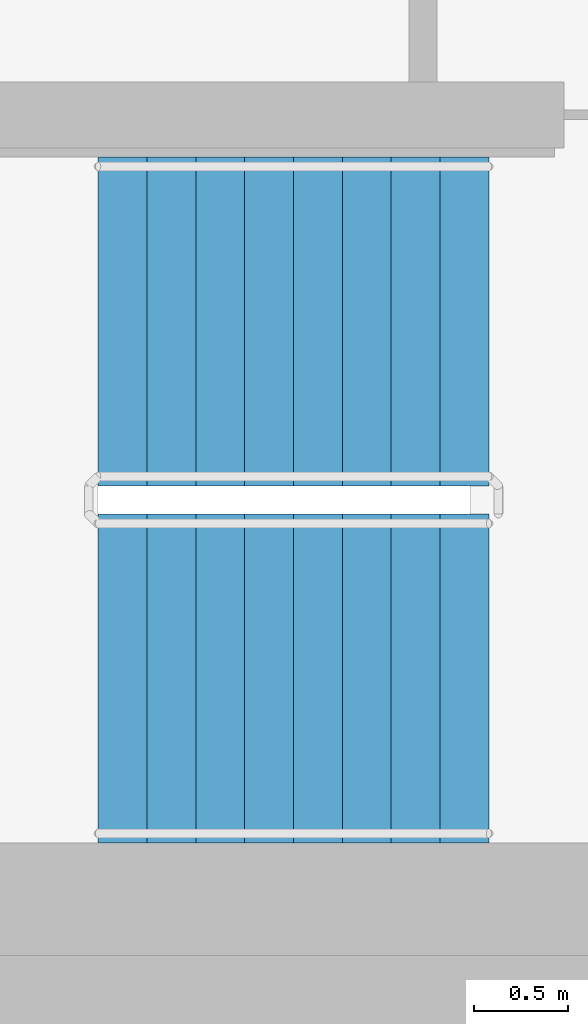
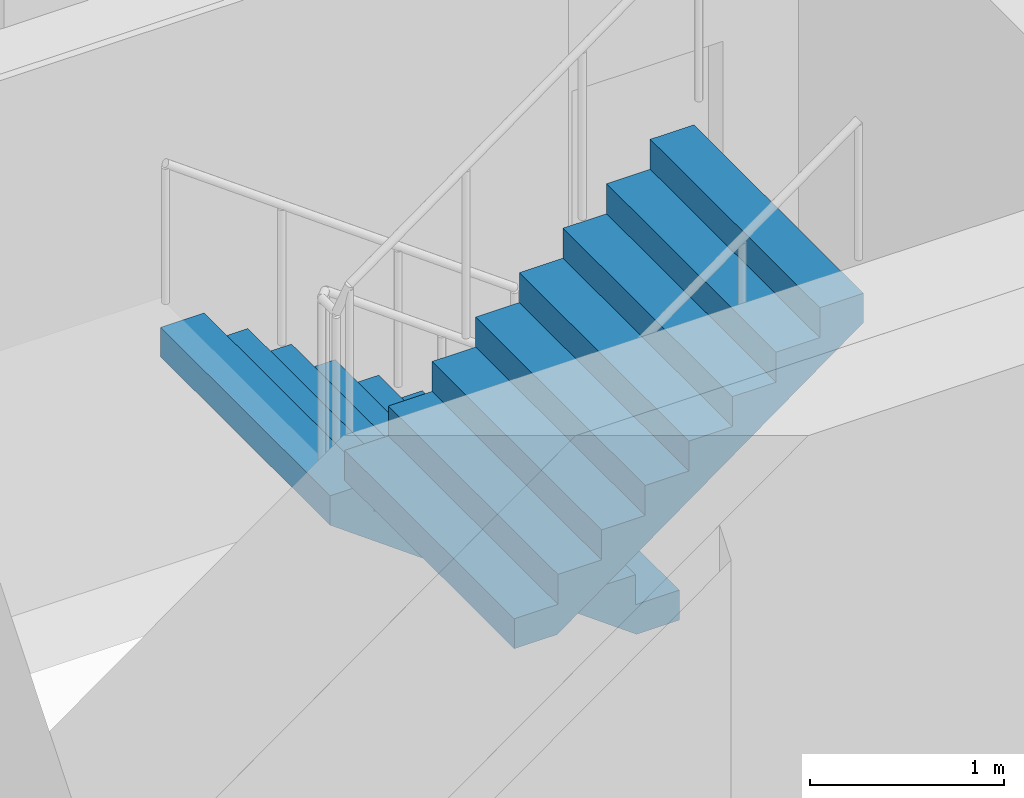
# One storey, part 12 of 18: 2 stair flights, 1 element without a shape of its own.
"""IFC4 building model written with IfcOpenShell, lengths in metres."""

from ifc_helpers import new_model, si_unit, direction, frame, origin, place, context, subcontext, project, spatial, faceted_brep, material, type_object, element, aggregate, save


model = new_model("IFC4")

# Units and contexts
model_context = context("Model", 3, precision=1e-05, world=origin(), true_north=direction((0.0, 1.0)))
body_context = subcontext(model_context, "Body", "Model", "MODEL_VIEW")
ifc_project = project(units=[si_unit("LENGTHUNIT", "METRE"), si_unit("AREAUNIT", "SQUARE_METRE"), si_unit("VOLUMEUNIT", "CUBIC_METRE"), si_unit("PLANEANGLEUNIT", "RADIAN"), si_unit("MASSUNIT", "GRAM", prefix="KILO")], contexts=[model_context])

# Site, building, storey
site_placement = place(None, origin())
site = spatial("IfcSite", under=ifc_project, at=site_placement, CompositionType="ELEMENT")
building_placement = place(site_placement, origin())
building = spatial("IfcBuilding", under=site, at=building_placement, Name="Ipe Terrace Towers", CompositionType="ELEMENT")
storey_placement = place(building_placement, frame((0.0, 0.0, 223.199951171875)))
storey = spatial("IfcBuildingStorey", under=building, at=storey_placement, Name="L62", CompositionType="ELEMENT", Elevation=223.199951171875)

# Stair, stair flights
ifc_material_1 = material(Name="Concrete C30/37", Category="concrete")
stair_type = type_object("IfcStairType", Name="Protected exit stair", PredefinedType="HALF_TURN_STAIR", material=ifc_material_1)
stair_placement = place(storey_placement, origin())
stair = element("IfcStair", 1, at=stair_placement, inside=storey, type_object=stair_type, Name="L62 Exit stair T1-C2", PredefinedType="HALF_TURN_STAIR")
ifc_material_2 = material(Name="Concrete C30/37", Category="concrete")
stair_flight_type = type_object("IfcStairFlightType", Name="Exit stair flight 1750", PredefinedType="STRAIGHT", material=ifc_material_2)
stair_flight_1_placement = place(storey_placement, frame((-45.699951171875, -2.77490234375, 0.0), z_axis=(0.0, 0.0, 1.0), x_axis=(-1.0, 0.0, 0.0)))
stair_flight_1 = element("IfcStairFlight", 2, at=stair_flight_1_placement, type_object=stair_flight_type, Name="T1-ST2 flight 1", NumberOfRisers=9, NumberOfTreads=8, PredefinedType="STRAIGHT", RiserHeight=0.188888889, TreadLength=0.26, context=body_context, shape_type="Brep", body=[
    faceted_brep([(0.255126953125, -0.875, 0.0), (2.080078125, -0.875, 1.325927734375), (2.080078125, -0.875, 1.51123046875), (1.820068359375, -0.875, 1.51123046875), (1.820068359375, -0.875, 1.322265625), (1.56005859375, -0.875, 1.322265625), (1.56005859375, -0.875, 1.13330078125), (1.300048828125, -0.875, 1.13330078125), (1.300048828125, -0.875, 0.9443359375), (1.0400390625, -0.875, 0.9443359375), (1.0400390625, -0.875, 0.755615234375), (0.780029296875, -0.875, 0.755615234375), (0.780029296875, -0.875, 0.566650390625), (0.52001953125, -0.875, 0.566650390625), (0.52001953125, -0.875, 0.377685546875), (0.260009765625, -0.875, 0.377685546875), (0.260009765625, -0.875, 0.18896484375), (0.0, -0.875, 0.18896484375), (0.0, -0.875, 0.0), (0.0, 0.875, 0.0), (0.0, 0.875, 0.18896484375), (0.260009765625, 0.875, 0.18896484375), (0.260009765625, 0.875, 0.377685546875), (0.52001953125, 0.875, 0.377685546875), (0.52001953125, 0.875, 0.566650390625), (0.780029296875, 0.875, 0.566650390625), (0.780029296875, 0.875, 0.755615234375), (1.0400390625, 0.875, 0.755615234375), (1.0400390625, 0.875, 0.9443359375), (1.300048828125, 0.875, 0.9443359375), (1.300048828125, 0.875, 1.13330078125), (1.56005859375, 0.875, 1.13330078125), (1.56005859375, 0.875, 1.322265625), (1.820068359375, 0.875, 1.322265625), (1.820068359375, 0.875, 1.51123046875), (2.080078125, 0.875, 1.51123046875), (2.080078125, 0.875, 1.325927734375), (0.255126953125, 0.875, 0.0), (0.0, -0.300048828125, 0.18896484375), (0.0, -0.1201171875, 0.18896484375), (0.0, -0.06005859375, 0.18896484375), (0.0, -0.030029296875, 0.18896484375), (0.0, -0.010009765625, 0.18896484375), (0.0, 0.0, 0.18896484375), (0.0, 0.010009765625, 0.18896484375), (0.0, 0.030029296875, 0.18896484375), (0.0, 0.06005859375, 0.18896484375), (0.0, 0.1201171875, 0.18896484375), (0.0, 0.300048828125, 0.18896484375), (0.0, 0.300048828125, 0.0), (0.0, 0.1201171875, 0.0), (0.0, 0.06005859375, 0.0), (0.0, 0.030029296875, 0.0), (0.0, 0.010009765625, 0.0), (0.0, 0.0, 0.0), (0.0, -0.010009765625, 0.0), (0.0, -0.030029296875, 0.0), (0.0, -0.06005859375, 0.0), (0.0, -0.1201171875, 0.0), (0.0, -0.300048828125, 0.0), (0.260009765625, -0.300048828125, 0.18896484375), (0.260009765625, -0.1201171875, 0.18896484375), (0.260009765625, -0.06005859375, 0.18896484375), (0.260009765625, -0.030029296875, 0.18896484375), (0.260009765625, -0.010009765625, 0.18896484375), (0.260009765625, 0.0, 0.18896484375), (0.260009765625, 0.010009765625, 0.18896484375), (0.260009765625, 0.030029296875, 0.18896484375), (0.260009765625, 0.06005859375, 0.18896484375), (0.260009765625, 0.1201171875, 0.18896484375), (0.260009765625, 0.300048828125, 0.18896484375), (0.260009765625, -0.300048828125, 0.377685546875), (0.260009765625, -0.1201171875, 0.377685546875), (0.260009765625, -0.06005859375, 0.377685546875), (0.260009765625, -0.030029296875, 0.377685546875), (0.260009765625, -0.010009765625, 0.377685546875), (0.260009765625, 0.0, 0.377685546875), (0.260009765625, 0.010009765625, 0.377685546875), (0.260009765625, 0.030029296875, 0.377685546875), (0.260009765625, 0.06005859375, 0.377685546875), (0.260009765625, 0.1201171875, 0.377685546875), (0.260009765625, 0.300048828125, 0.377685546875), (0.52001953125, -0.300048828125, 0.377685546875), (0.52001953125, -0.1201171875, 0.377685546875), (0.52001953125, -0.06005859375, 0.377685546875), (0.52001953125, -0.030029296875, 0.377685546875), (0.52001953125, -0.010009765625, 0.377685546875), (0.52001953125, 0.0, 0.377685546875), (0.52001953125, 0.010009765625, 0.377685546875), (0.52001953125, 0.030029296875, 0.377685546875), (0.52001953125, 0.06005859375, 0.377685546875), (0.52001953125, 0.1201171875, 0.377685546875), (0.52001953125, 0.300048828125, 0.377685546875), (0.52001953125, -0.300048828125, 0.566650390625), (0.52001953125, -0.1201171875, 0.566650390625), (0.52001953125, -0.06005859375, 0.566650390625), (0.52001953125, -0.030029296875, 0.566650390625), (0.52001953125, -0.010009765625, 0.566650390625), (0.52001953125, 0.0, 0.566650390625), (0.52001953125, 0.010009765625, 0.566650390625), (0.52001953125, 0.030029296875, 0.566650390625), (0.52001953125, 0.06005859375, 0.566650390625), (0.52001953125, 0.1201171875, 0.566650390625), (0.52001953125, 0.300048828125, 0.566650390625), (0.780029296875, -0.300048828125, 0.566650390625), (0.780029296875, -0.1201171875, 0.566650390625), (0.780029296875, -0.06005859375, 0.566650390625), (0.780029296875, -0.030029296875, 0.566650390625), (0.780029296875, -0.010009765625, 0.566650390625), (0.780029296875, 0.0, 0.566650390625), (0.780029296875, 0.010009765625, 0.566650390625), (0.780029296875, 0.030029296875, 0.566650390625), (0.780029296875, 0.06005859375, 0.566650390625), (0.780029296875, 0.1201171875, 0.566650390625), (0.780029296875, 0.300048828125, 0.566650390625), (0.780029296875, -0.300048828125, 0.755615234375), (0.780029296875, -0.1201171875, 0.755615234375), (0.780029296875, -0.06005859375, 0.755615234375), (0.780029296875, -0.030029296875, 0.755615234375), (0.780029296875, -0.010009765625, 0.755615234375), (0.780029296875, 0.0, 0.755615234375), (0.780029296875, 0.010009765625, 0.755615234375), (0.780029296875, 0.030029296875, 0.755615234375), (0.780029296875, 0.06005859375, 0.755615234375), (0.780029296875, 0.1201171875, 0.755615234375), (0.780029296875, 0.300048828125, 0.755615234375), (1.0400390625, -0.300048828125, 0.755615234375), (1.0400390625, -0.1201171875, 0.755615234375), (1.0400390625, -0.06005859375, 0.755615234375), (1.0400390625, -0.030029296875, 0.755615234375), (1.0400390625, -0.010009765625, 0.755615234375), (1.0400390625, 0.0, 0.755615234375), (1.0400390625, 0.010009765625, 0.755615234375), (1.0400390625, 0.030029296875, 0.755615234375), (1.0400390625, 0.06005859375, 0.755615234375), (1.0400390625, 0.1201171875, 0.755615234375), (1.0400390625, 0.300048828125, 0.755615234375), (1.0400390625, -0.300048828125, 0.9443359375), (1.0400390625, -0.1201171875, 0.9443359375), (1.0400390625, -0.06005859375, 0.9443359375), (1.0400390625, -0.030029296875, 0.9443359375), (1.0400390625, -0.010009765625, 0.9443359375), (1.0400390625, 0.0, 0.9443359375), (1.0400390625, 0.010009765625, 0.9443359375), (1.0400390625, 0.030029296875, 0.9443359375), (1.0400390625, 0.06005859375, 0.9443359375), (1.0400390625, 0.1201171875, 0.9443359375), (1.0400390625, 0.300048828125, 0.9443359375), (1.300048828125, -0.300048828125, 0.9443359375), (1.300048828125, -0.1201171875, 0.9443359375), (1.300048828125, -0.06005859375, 0.9443359375), (1.300048828125, -0.030029296875, 0.9443359375), (1.300048828125, -0.010009765625, 0.9443359375), (1.300048828125, 0.0, 0.9443359375), (1.300048828125, 0.010009765625, 0.9443359375), (1.300048828125, 0.030029296875, 0.9443359375), (1.300048828125, 0.06005859375, 0.9443359375), (1.300048828125, 0.1201171875, 0.9443359375), (1.300048828125, 0.300048828125, 0.9443359375), (1.300048828125, -0.300048828125, 1.13330078125), (1.300048828125, -0.1201171875, 1.13330078125), (1.300048828125, -0.06005859375, 1.13330078125), (1.300048828125, -0.030029296875, 1.13330078125), (1.300048828125, -0.010009765625, 1.13330078125), (1.300048828125, 0.0, 1.13330078125), (1.300048828125, 0.010009765625, 1.13330078125), (1.300048828125, 0.030029296875, 1.13330078125), (1.300048828125, 0.06005859375, 1.13330078125), (1.300048828125, 0.1201171875, 1.13330078125), (1.300048828125, 0.300048828125, 1.13330078125), (1.56005859375, -0.300048828125, 1.13330078125), (1.56005859375, -0.1201171875, 1.13330078125), (1.56005859375, -0.06005859375, 1.13330078125), (1.56005859375, -0.030029296875, 1.13330078125), (1.56005859375, -0.010009765625, 1.13330078125), (1.56005859375, 0.0, 1.13330078125), (1.56005859375, 0.010009765625, 1.13330078125), (1.56005859375, 0.030029296875, 1.13330078125), (1.56005859375, 0.06005859375, 1.13330078125), (1.56005859375, 0.1201171875, 1.13330078125), (1.56005859375, 0.300048828125, 1.13330078125), (1.56005859375, -0.300048828125, 1.322265625), (1.56005859375, -0.1201171875, 1.322265625), (1.56005859375, -0.06005859375, 1.322265625), (1.56005859375, -0.030029296875, 1.322265625), (1.56005859375, -0.010009765625, 1.322265625), (1.56005859375, 0.0, 1.322265625), (1.56005859375, 0.010009765625, 1.322265625), (1.56005859375, 0.030029296875, 1.322265625), (1.56005859375, 0.06005859375, 1.322265625), (1.56005859375, 0.1201171875, 1.322265625), (1.56005859375, 0.300048828125, 1.322265625), (1.820068359375, -0.300048828125, 1.322265625), (1.820068359375, -0.1201171875, 1.322265625), (1.820068359375, -0.06005859375, 1.322265625), (1.820068359375, -0.030029296875, 1.322265625), (1.820068359375, -0.010009765625, 1.322265625), (1.820068359375, 0.0, 1.322265625), (1.820068359375, 0.010009765625, 1.322265625), (1.820068359375, 0.030029296875, 1.322265625), (1.820068359375, 0.06005859375, 1.322265625), (1.820068359375, 0.1201171875, 1.322265625), (1.820068359375, 0.300048828125, 1.322265625), (1.820068359375, -0.300048828125, 1.51123046875), (1.820068359375, -0.1201171875, 1.51123046875), (1.820068359375, -0.06005859375, 1.51123046875), (1.820068359375, -0.030029296875, 1.51123046875), (1.820068359375, -0.010009765625, 1.51123046875), (1.820068359375, 0.0, 1.51123046875), (1.820068359375, 0.010009765625, 1.51123046875), (1.820068359375, 0.030029296875, 1.51123046875), (1.820068359375, 0.06005859375, 1.51123046875), (1.820068359375, 0.1201171875, 1.51123046875), (1.820068359375, 0.300048828125, 1.51123046875), (2.080078125, -0.300048828125, 1.51123046875), (2.080078125, -0.1201171875, 1.51123046875), (2.080078125, -0.06005859375, 1.51123046875), (2.080078125, -0.030029296875, 1.51123046875), (2.080078125, -0.010009765625, 1.51123046875), (2.080078125, 0.0, 1.51123046875), (2.080078125, 0.010009765625, 1.51123046875), (2.080078125, 0.030029296875, 1.51123046875), (2.080078125, 0.06005859375, 1.51123046875), (2.080078125, 0.1201171875, 1.51123046875), (2.080078125, 0.300048828125, 1.51123046875), (2.080078125, -0.300048828125, 1.325927734375), (2.080078125, -0.1201171875, 1.325927734375), (2.080078125, -0.06005859375, 1.325927734375), (2.080078125, -0.030029296875, 1.325927734375), (2.080078125, -0.010009765625, 1.325927734375), (2.080078125, 0.0, 1.325927734375), (2.080078125, 0.010009765625, 1.325927734375), (2.080078125, 0.030029296875, 1.325927734375), (2.080078125, 0.06005859375, 1.325927734375), (2.080078125, 0.1201171875, 1.325927734375), (2.080078125, 0.300048828125, 1.325927734375), (0.255126953125, -0.300048828125, 0.0), (0.255126953125, -0.1201171875, 0.0), (0.255126953125, -0.06005859375, 0.0), (0.255126953125, -0.030029296875, 0.0), (0.255126953125, -0.010009765625, 0.0), (0.255126953125, 0.0, 0.0), (0.255126953125, 0.010009765625, 0.0), (0.255126953125, 0.030029296875, 0.0), (0.255126953125, 0.06005859375, 0.0), (0.255126953125, 0.1201171875, 0.0), (0.255126953125, 0.300048828125, 0.0)], [[[0, 1, 2, 3, 4, 5, 6, 7, 8, 9, 10, 11, 12, 13, 14, 15, 16, 17, 18]], [[19, 20, 21, 22, 23, 24, 25, 26, 27, 28, 29, 30, 31, 32, 33, 34, 35, 36, 37]], [[17, 38, 39, 40, 41, 42, 43, 44, 45, 46, 47, 48, 20, 19, 49, 50, 51, 52, 53, 54, 55, 56, 57, 58, 59, 18]], [[16, 60, 61, 62, 63, 64, 65, 66, 67, 68, 69, 70, 21, 20, 48, 47, 46, 45, 44, 43, 42, 41, 40, 39, 38, 17]], [[15, 71, 72, 73, 74, 75, 76, 77, 78, 79, 80, 81, 22, 21, 70, 69, 68, 67, 66, 65, 64, 63, 62, 61, 60, 16]], [[14, 82, 83, 84, 85, 86, 87, 88, 89, 90, 91, 92, 23, 22, 81, 80, 79, 78, 77, 76, 75, 74, 73, 72, 71, 15]], [[13, 93, 94, 95, 96, 97, 98, 99, 100, 101, 102, 103, 24, 23, 92, 91, 90, 89, 88, 87, 86, 85, 84, 83, 82, 14]], [[12, 104, 105, 106, 107, 108, 109, 110, 111, 112, 113, 114, 25, 24, 103, 102, 101, 100, 99, 98, 97, 96, 95, 94, 93, 13]], [[11, 115, 116, 117, 118, 119, 120, 121, 122, 123, 124, 125, 26, 25, 114, 113, 112, 111, 110, 109, 108, 107, 106, 105, 104, 12]], [[10, 126, 127, 128, 129, 130, 131, 132, 133, 134, 135, 136, 27, 26, 125, 124, 123, 122, 121, 120, 119, 118, 117, 116, 115, 11]], [[9, 137, 138, 139, 140, 141, 142, 143, 144, 145, 146, 147, 28, 27, 136, 135, 134, 133, 132, 131, 130, 129, 128, 127, 126, 10]], [[8, 148, 149, 150, 151, 152, 153, 154, 155, 156, 157, 158, 29, 28, 147, 146, 145, 144, 143, 142, 141, 140, 139, 138, 137, 9]], [[7, 159, 160, 161, 162, 163, 164, 165, 166, 167, 168, 169, 30, 29, 158, 157, 156, 155, 154, 153, 152, 151, 150, 149, 148, 8]], [[6, 170, 171, 172, 173, 174, 175, 176, 177, 178, 179, 180, 31, 30, 169, 168, 167, 166, 165, 164, 163, 162, 161, 160, 159, 7]], [[5, 181, 182, 183, 184, 185, 186, 187, 188, 189, 190, 191, 32, 31, 180, 179, 178, 177, 176, 175, 174, 173, 172, 171, 170, 6]], [[4, 192, 193, 194, 195, 196, 197, 198, 199, 200, 201, 202, 33, 32, 191, 190, 189, 188, 187, 186, 185, 184, 183, 182, 181, 5]], [[3, 203, 204, 205, 206, 207, 208, 209, 210, 211, 212, 213, 34, 33, 202, 201, 200, 199, 198, 197, 196, 195, 194, 193, 192, 4]], [[2, 214, 215, 216, 217, 218, 219, 220, 221, 222, 223, 224, 35, 34, 213, 212, 211, 210, 209, 208, 207, 206, 205, 204, 203, 3]], [[1, 225, 226, 227, 228, 229, 230, 231, 232, 233, 234, 235, 36, 35, 224, 223, 222, 221, 220, 219, 218, 217, 216, 215, 214, 2]], [[0, 236, 237, 238, 239, 240, 241, 242, 243, 244, 245, 246, 37, 36, 235, 234, 233, 232, 231, 230, 229, 228, 227, 226, 225, 1]], [[18, 59, 58, 57, 56, 55, 54, 53, 52, 51, 50, 49, 19, 37, 246, 245, 244, 243, 242, 241, 240, 239, 238, 237, 236, 0]]]),
])
stair_flight_2_placement = place(storey_placement, frame((-47.780029296875, -4.675048828125, 1.699951171875), z_axis=(0.0, 0.0, 1.0), x_axis=(1.0, 0.0, 0.0)))
stair_flight_2 = element("IfcStairFlight", 3, at=stair_flight_2_placement, type_object=stair_flight_type, Name="T1-ST2 flight 2", NumberOfRisers=9, NumberOfTreads=8, PredefinedType="STRAIGHT", RiserHeight=0.188888889, TreadLength=0.26, context=body_context, shape_type="Brep", body=[
    faceted_brep([(0.255126953125, -0.875, 0.0), (2.080078125, -0.875, 1.325927734375), (2.080078125, -0.875, 1.51123046875), (1.820068359375, -0.875, 1.51123046875), (1.820068359375, -0.875, 1.322265625), (1.56005859375, -0.875, 1.322265625), (1.56005859375, -0.875, 1.13330078125), (1.300048828125, -0.875, 1.13330078125), (1.300048828125, -0.875, 0.9443359375), (1.0400390625, -0.875, 0.9443359375), (1.0400390625, -0.875, 0.755615234375), (0.780029296875, -0.875, 0.755615234375), (0.780029296875, -0.875, 0.566650390625), (0.52001953125, -0.875, 0.566650390625), (0.52001953125, -0.875, 0.377685546875), (0.260009765625, -0.875, 0.377685546875), (0.260009765625, -0.875, 0.18896484375), (0.0, -0.875, 0.18896484375), (0.0, -0.875, 0.0), (0.0, 0.875, 0.0), (0.0, 0.875, 0.18896484375), (0.260009765625, 0.875, 0.18896484375), (0.260009765625, 0.875, 0.377685546875), (0.52001953125, 0.875, 0.377685546875), (0.52001953125, 0.875, 0.566650390625), (0.780029296875, 0.875, 0.566650390625), (0.780029296875, 0.875, 0.755615234375), (1.0400390625, 0.875, 0.755615234375), (1.0400390625, 0.875, 0.9443359375), (1.300048828125, 0.875, 0.9443359375), (1.300048828125, 0.875, 1.13330078125), (1.56005859375, 0.875, 1.13330078125), (1.56005859375, 0.875, 1.322265625), (1.820068359375, 0.875, 1.322265625), (1.820068359375, 0.875, 1.51123046875), (2.080078125, 0.875, 1.51123046875), (2.080078125, 0.875, 1.325927734375), (0.255126953125, 0.875, 0.0), (0.0, -0.300048828125, 0.18896484375), (0.0, -0.1201171875, 0.18896484375), (0.0, -0.06005859375, 0.18896484375), (0.0, -0.030029296875, 0.18896484375), (0.0, -0.010009765625, 0.18896484375), (0.0, 0.0, 0.18896484375), (0.0, 0.010009765625, 0.18896484375), (0.0, 0.030029296875, 0.18896484375), (0.0, 0.06005859375, 0.18896484375), (0.0, 0.1201171875, 0.18896484375), (0.0, 0.300048828125, 0.18896484375), (0.0, 0.300048828125, 0.0), (0.0, 0.1201171875, 0.0), (0.0, 0.06005859375, 0.0), (0.0, 0.030029296875, 0.0), (0.0, 0.010009765625, 0.0), (0.0, 0.0, 0.0), (0.0, -0.010009765625, 0.0), (0.0, -0.030029296875, 0.0), (0.0, -0.06005859375, 0.0), (0.0, -0.1201171875, 0.0), (0.0, -0.300048828125, 0.0), (0.260009765625, -0.300048828125, 0.18896484375), (0.260009765625, -0.1201171875, 0.18896484375), (0.260009765625, -0.06005859375, 0.18896484375), (0.260009765625, -0.030029296875, 0.18896484375), (0.260009765625, -0.010009765625, 0.18896484375), (0.260009765625, 0.0, 0.18896484375), (0.260009765625, 0.010009765625, 0.18896484375), (0.260009765625, 0.030029296875, 0.18896484375), (0.260009765625, 0.06005859375, 0.18896484375), (0.260009765625, 0.1201171875, 0.18896484375), (0.260009765625, 0.300048828125, 0.18896484375), (0.260009765625, -0.300048828125, 0.377685546875), (0.260009765625, -0.1201171875, 0.377685546875), (0.260009765625, -0.06005859375, 0.377685546875), (0.260009765625, -0.030029296875, 0.377685546875), (0.260009765625, -0.010009765625, 0.377685546875), (0.260009765625, 0.0, 0.377685546875), (0.260009765625, 0.010009765625, 0.377685546875), (0.260009765625, 0.030029296875, 0.377685546875), (0.260009765625, 0.06005859375, 0.377685546875), (0.260009765625, 0.1201171875, 0.377685546875), (0.260009765625, 0.300048828125, 0.377685546875), (0.52001953125, -0.300048828125, 0.377685546875), (0.52001953125, -0.1201171875, 0.377685546875), (0.52001953125, -0.06005859375, 0.377685546875), (0.52001953125, -0.030029296875, 0.377685546875), (0.52001953125, -0.010009765625, 0.377685546875), (0.52001953125, 0.0, 0.377685546875), (0.52001953125, 0.010009765625, 0.377685546875), (0.52001953125, 0.030029296875, 0.377685546875), (0.52001953125, 0.06005859375, 0.377685546875), (0.52001953125, 0.1201171875, 0.377685546875), (0.52001953125, 0.300048828125, 0.377685546875), (0.52001953125, -0.300048828125, 0.566650390625), (0.52001953125, -0.1201171875, 0.566650390625), (0.52001953125, -0.06005859375, 0.566650390625), (0.52001953125, -0.030029296875, 0.566650390625), (0.52001953125, -0.010009765625, 0.566650390625), (0.52001953125, 0.0, 0.566650390625), (0.52001953125, 0.010009765625, 0.566650390625), (0.52001953125, 0.030029296875, 0.566650390625), (0.52001953125, 0.06005859375, 0.566650390625), (0.52001953125, 0.1201171875, 0.566650390625), (0.52001953125, 0.300048828125, 0.566650390625), (0.780029296875, -0.300048828125, 0.566650390625), (0.780029296875, -0.1201171875, 0.566650390625), (0.780029296875, -0.06005859375, 0.566650390625), (0.780029296875, -0.030029296875, 0.566650390625), (0.780029296875, -0.010009765625, 0.566650390625), (0.780029296875, 0.0, 0.566650390625), (0.780029296875, 0.010009765625, 0.566650390625), (0.780029296875, 0.030029296875, 0.566650390625), (0.780029296875, 0.06005859375, 0.566650390625), (0.780029296875, 0.1201171875, 0.566650390625), (0.780029296875, 0.300048828125, 0.566650390625), (0.780029296875, -0.300048828125, 0.755615234375), (0.780029296875, -0.1201171875, 0.755615234375), (0.780029296875, -0.06005859375, 0.755615234375), (0.780029296875, -0.030029296875, 0.755615234375), (0.780029296875, -0.010009765625, 0.755615234375), (0.780029296875, 0.0, 0.755615234375), (0.780029296875, 0.010009765625, 0.755615234375), (0.780029296875, 0.030029296875, 0.755615234375), (0.780029296875, 0.06005859375, 0.755615234375), (0.780029296875, 0.1201171875, 0.755615234375), (0.780029296875, 0.300048828125, 0.755615234375), (1.0400390625, -0.300048828125, 0.755615234375), (1.0400390625, -0.1201171875, 0.755615234375), (1.0400390625, -0.06005859375, 0.755615234375), (1.0400390625, -0.030029296875, 0.755615234375), (1.0400390625, -0.010009765625, 0.755615234375), (1.0400390625, 0.0, 0.755615234375), (1.0400390625, 0.010009765625, 0.755615234375), (1.0400390625, 0.030029296875, 0.755615234375), (1.0400390625, 0.06005859375, 0.755615234375), (1.0400390625, 0.1201171875, 0.755615234375), (1.0400390625, 0.300048828125, 0.755615234375), (1.0400390625, -0.300048828125, 0.9443359375), (1.0400390625, -0.1201171875, 0.9443359375), (1.0400390625, -0.06005859375, 0.9443359375), (1.0400390625, -0.030029296875, 0.9443359375), (1.0400390625, -0.010009765625, 0.9443359375), (1.0400390625, 0.0, 0.9443359375), (1.0400390625, 0.010009765625, 0.9443359375), (1.0400390625, 0.030029296875, 0.9443359375), (1.0400390625, 0.06005859375, 0.9443359375), (1.0400390625, 0.1201171875, 0.9443359375), (1.0400390625, 0.300048828125, 0.9443359375), (1.300048828125, -0.300048828125, 0.9443359375), (1.300048828125, -0.1201171875, 0.9443359375), (1.300048828125, -0.06005859375, 0.9443359375), (1.300048828125, -0.030029296875, 0.9443359375), (1.300048828125, -0.010009765625, 0.9443359375), (1.300048828125, 0.0, 0.9443359375), (1.300048828125, 0.010009765625, 0.9443359375), (1.300048828125, 0.030029296875, 0.9443359375), (1.300048828125, 0.06005859375, 0.9443359375), (1.300048828125, 0.1201171875, 0.9443359375), (1.300048828125, 0.300048828125, 0.9443359375), (1.300048828125, -0.300048828125, 1.13330078125), (1.300048828125, -0.1201171875, 1.13330078125), (1.300048828125, -0.06005859375, 1.13330078125), (1.300048828125, -0.030029296875, 1.13330078125), (1.300048828125, -0.010009765625, 1.13330078125), (1.300048828125, 0.0, 1.13330078125), (1.300048828125, 0.010009765625, 1.13330078125), (1.300048828125, 0.030029296875, 1.13330078125), (1.300048828125, 0.06005859375, 1.13330078125), (1.300048828125, 0.1201171875, 1.13330078125), (1.300048828125, 0.300048828125, 1.13330078125), (1.56005859375, -0.300048828125, 1.13330078125), (1.56005859375, -0.1201171875, 1.13330078125), (1.56005859375, -0.06005859375, 1.13330078125), (1.56005859375, -0.030029296875, 1.13330078125), (1.56005859375, -0.010009765625, 1.13330078125), (1.56005859375, 0.0, 1.13330078125), (1.56005859375, 0.010009765625, 1.13330078125), (1.56005859375, 0.030029296875, 1.13330078125), (1.56005859375, 0.06005859375, 1.13330078125), (1.56005859375, 0.1201171875, 1.13330078125), (1.56005859375, 0.300048828125, 1.13330078125), (1.56005859375, -0.300048828125, 1.322265625), (1.56005859375, -0.1201171875, 1.322265625), (1.56005859375, -0.06005859375, 1.322265625), (1.56005859375, -0.030029296875, 1.322265625), (1.56005859375, -0.010009765625, 1.322265625), (1.56005859375, 0.0, 1.322265625), (1.56005859375, 0.010009765625, 1.322265625), (1.56005859375, 0.030029296875, 1.322265625), (1.56005859375, 0.06005859375, 1.322265625), (1.56005859375, 0.1201171875, 1.322265625), (1.56005859375, 0.300048828125, 1.322265625), (1.820068359375, -0.300048828125, 1.322265625), (1.820068359375, -0.1201171875, 1.322265625), (1.820068359375, -0.06005859375, 1.322265625), (1.820068359375, -0.030029296875, 1.322265625), (1.820068359375, -0.010009765625, 1.322265625), (1.820068359375, 0.0, 1.322265625), (1.820068359375, 0.010009765625, 1.322265625), (1.820068359375, 0.030029296875, 1.322265625), (1.820068359375, 0.06005859375, 1.322265625), (1.820068359375, 0.1201171875, 1.322265625), (1.820068359375, 0.300048828125, 1.322265625), (1.820068359375, -0.300048828125, 1.51123046875), (1.820068359375, -0.1201171875, 1.51123046875), (1.820068359375, -0.06005859375, 1.51123046875), (1.820068359375, -0.030029296875, 1.51123046875), (1.820068359375, -0.010009765625, 1.51123046875), (1.820068359375, 0.0, 1.51123046875), (1.820068359375, 0.010009765625, 1.51123046875), (1.820068359375, 0.030029296875, 1.51123046875), (1.820068359375, 0.06005859375, 1.51123046875), (1.820068359375, 0.1201171875, 1.51123046875), (1.820068359375, 0.300048828125, 1.51123046875), (2.080078125, -0.300048828125, 1.51123046875), (2.080078125, -0.1201171875, 1.51123046875), (2.080078125, -0.06005859375, 1.51123046875), (2.080078125, -0.030029296875, 1.51123046875), (2.080078125, -0.010009765625, 1.51123046875), (2.080078125, 0.0, 1.51123046875), (2.080078125, 0.010009765625, 1.51123046875), (2.080078125, 0.030029296875, 1.51123046875), (2.080078125, 0.06005859375, 1.51123046875), (2.080078125, 0.1201171875, 1.51123046875), (2.080078125, 0.300048828125, 1.51123046875), (2.080078125, -0.300048828125, 1.325927734375), (2.080078125, -0.1201171875, 1.325927734375), (2.080078125, -0.06005859375, 1.325927734375), (2.080078125, -0.030029296875, 1.325927734375), (2.080078125, -0.010009765625, 1.325927734375), (2.080078125, 0.0, 1.325927734375), (2.080078125, 0.010009765625, 1.325927734375), (2.080078125, 0.030029296875, 1.325927734375), (2.080078125, 0.06005859375, 1.325927734375), (2.080078125, 0.1201171875, 1.325927734375), (2.080078125, 0.300048828125, 1.325927734375), (0.255126953125, -0.300048828125, 0.0), (0.255126953125, -0.1201171875, 0.0), (0.255126953125, -0.06005859375, 0.0), (0.255126953125, -0.030029296875, 0.0), (0.255126953125, -0.010009765625, 0.0), (0.255126953125, 0.0, 0.0), (0.255126953125, 0.010009765625, 0.0), (0.255126953125, 0.030029296875, 0.0), (0.255126953125, 0.06005859375, 0.0), (0.255126953125, 0.1201171875, 0.0), (0.255126953125, 0.300048828125, 0.0)], [[[0, 1, 2, 3, 4, 5, 6, 7, 8, 9, 10, 11, 12, 13, 14, 15, 16, 17, 18]], [[19, 20, 21, 22, 23, 24, 25, 26, 27, 28, 29, 30, 31, 32, 33, 34, 35, 36, 37]], [[17, 38, 39, 40, 41, 42, 43, 44, 45, 46, 47, 48, 20, 19, 49, 50, 51, 52, 53, 54, 55, 56, 57, 58, 59, 18]], [[16, 60, 61, 62, 63, 64, 65, 66, 67, 68, 69, 70, 21, 20, 48, 47, 46, 45, 44, 43, 42, 41, 40, 39, 38, 17]], [[15, 71, 72, 73, 74, 75, 76, 77, 78, 79, 80, 81, 22, 21, 70, 69, 68, 67, 66, 65, 64, 63, 62, 61, 60, 16]], [[14, 82, 83, 84, 85, 86, 87, 88, 89, 90, 91, 92, 23, 22, 81, 80, 79, 78, 77, 76, 75, 74, 73, 72, 71, 15]], [[13, 93, 94, 95, 96, 97, 98, 99, 100, 101, 102, 103, 24, 23, 92, 91, 90, 89, 88, 87, 86, 85, 84, 83, 82, 14]], [[12, 104, 105, 106, 107, 108, 109, 110, 111, 112, 113, 114, 25, 24, 103, 102, 101, 100, 99, 98, 97, 96, 95, 94, 93, 13]], [[11, 115, 116, 117, 118, 119, 120, 121, 122, 123, 124, 125, 26, 25, 114, 113, 112, 111, 110, 109, 108, 107, 106, 105, 104, 12]], [[10, 126, 127, 128, 129, 130, 131, 132, 133, 134, 135, 136, 27, 26, 125, 124, 123, 122, 121, 120, 119, 118, 117, 116, 115, 11]], [[9, 137, 138, 139, 140, 141, 142, 143, 144, 145, 146, 147, 28, 27, 136, 135, 134, 133, 132, 131, 130, 129, 128, 127, 126, 10]], [[8, 148, 149, 150, 151, 152, 153, 154, 155, 156, 157, 158, 29, 28, 147, 146, 145, 144, 143, 142, 141, 140, 139, 138, 137, 9]], [[7, 159, 160, 161, 162, 163, 164, 165, 166, 167, 168, 169, 30, 29, 158, 157, 156, 155, 154, 153, 152, 151, 150, 149, 148, 8]], [[6, 170, 171, 172, 173, 174, 175, 176, 177, 178, 179, 180, 31, 30, 169, 168, 167, 166, 165, 164, 163, 162, 161, 160, 159, 7]], [[5, 181, 182, 183, 184, 185, 186, 187, 188, 189, 190, 191, 32, 31, 180, 179, 178, 177, 176, 175, 174, 173, 172, 171, 170, 6]], [[4, 192, 193, 194, 195, 196, 197, 198, 199, 200, 201, 202, 33, 32, 191, 190, 189, 188, 187, 186, 185, 184, 183, 182, 181, 5]], [[3, 203, 204, 205, 206, 207, 208, 209, 210, 211, 212, 213, 34, 33, 202, 201, 200, 199, 198, 197, 196, 195, 194, 193, 192, 4]], [[2, 214, 215, 216, 217, 218, 219, 220, 221, 222, 223, 224, 35, 34, 213, 212, 211, 210, 209, 208, 207, 206, 205, 204, 203, 3]], [[1, 225, 226, 227, 228, 229, 230, 231, 232, 233, 234, 235, 36, 35, 224, 223, 222, 221, 220, 219, 218, 217, 216, 215, 214, 2]], [[0, 236, 237, 238, 239, 240, 241, 242, 243, 244, 245, 246, 37, 36, 235, 234, 233, 232, 231, 230, 229, 228, 227, 226, 225, 1]], [[18, 59, 58, 57, 56, 55, 54, 53, 52, 51, 50, 49, 19, 37, 246, 245, 244, 243, 242, 241, 240, 239, 238, 237, 236, 0]]]),
])
aggregate(stair, [stair_flight_1, stair_flight_2])

save(model, "model.ifc")
